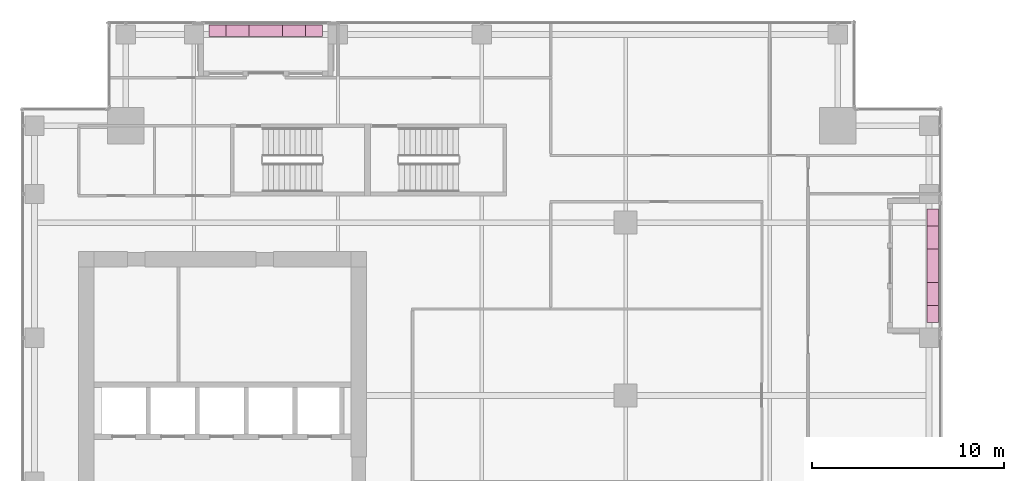
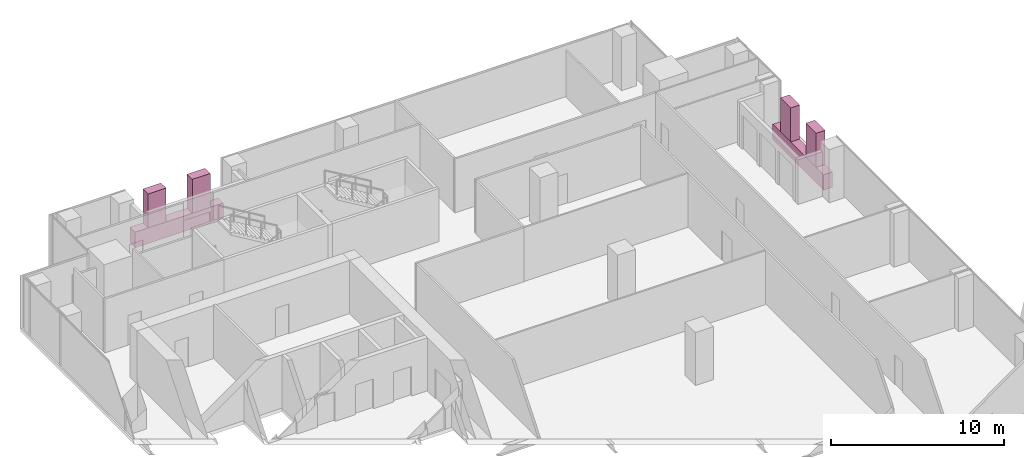
# One storey, part 38 of 38: 6 furnishings.
"""IFC4 building model written with IfcOpenShell, lengths in metres."""

from ifc_helpers import new_model, si_unit, direction, frame, origin, origin_2d, place, context, subcontext, project, spatial, rectangle, extrude, source, transform, mapped, material, type_object, element, save


model = new_model("IFC4")

# Units and contexts
model_context = context("Model", 3, precision=1e-05, world=origin(), true_north=direction((0.0, 1.0)))
body_context = subcontext(model_context, "Body", "Model", "MODEL_VIEW")
ifc_project = project(units=[si_unit("LENGTHUNIT", "METRE"), si_unit("AREAUNIT", "SQUARE_METRE"), si_unit("VOLUMEUNIT", "CUBIC_METRE"), si_unit("PLANEANGLEUNIT", "RADIAN"), si_unit("MASSUNIT", "GRAM", prefix="KILO")], contexts=[model_context])

# Site, building, storey
site_placement = place(None, origin())
site = spatial("IfcSite", under=ifc_project, at=site_placement, CompositionType="ELEMENT")
building_placement = place(site_placement, origin())
building = spatial("IfcBuilding", under=site, at=building_placement, Name="Khomas Fold Tower", CompositionType="ELEMENT")
storey_placement = place(building_placement, frame((0.0, 0.0, 196.699951171875)))
storey = spatial("IfcBuildingStorey", under=building, at=storey_placement, Name="L43", CompositionType="ELEMENT", Elevation=196.699951171875)

# Furnishings
ifc_material_1 = material(Name="Precast concrete C40/50", Category="concrete")
furnishing_element_type_1 = type_object("IfcFurnishingElementType", Name="BL-Structural planter box", material=ifc_material_1)
shared_shape_1 = source(origin(), body_context, "Body", "SweptSolid", [
    extrude(rectangle(XDim=5.89990234375, YDim=0.60009765625, at=origin_2d()), origin(), (0.0, 0.0, 1.0), 1.10009765625),
])
for number, where, z_axis, x_axis, name in (
    (1, (50.5, 38.25, -0.044921875), (0.0, 0.0, 1.0), (0.0, 1.0, 0.0), "PLANTER BAL-L43-E4"),
    (2, (15.75, 50.5, -0.044921875), (0.0, 0.0, 1.0), (1.0, 0.0, 0.0), "PLANTER BAL-L43-N1"),
):
    element("IfcFurnishingElement", number, at=place(storey_placement, frame(where, z_axis=z_axis, x_axis=x_axis)), inside=storey, type_object=furnishing_element_type_1, Name=name, context=body_context, shape_type="MappedRepresentation", body=[
        mapped(shared_shape_1, transform((0.0, 0.0, 0.0))),
    ])
ifc_material_2 = material(Name="Planting")
furnishing_element_type_2 = type_object("IfcFurnishingElementType", Name="BL-Tree Wild olive", material=ifc_material_2)
shared_shape_2 = source(origin(), body_context, "Body", "SweptSolid", [
    extrude(rectangle(XDim=1.199951171875, YDim=0.60009765625, at=origin_2d()), origin(), (0.0, 0.0, 1.0), 2.39501953125),
])
furnishing_1_placement = place(storey_placement, frame((50.5, 36.77490234375, 1.054931640625), z_axis=(0.0, 0.0, 1.0), x_axis=(0.0, 1.0, 0.0)))
element("IfcFurnishingElement", 3, at=furnishing_1_placement, inside=storey, type_object=furnishing_element_type_2, Name="PLANTER (TREE) Wild olive BAL-L43-E4-1", context=body_context, shape_type="MappedRepresentation", body=[
    mapped(shared_shape_2, transform((0.0, 0.0, 0.0))),
])
ifc_material_3 = material(Name="Planting")
furnishing_element_type_3 = type_object("IfcFurnishingElementType", Name="BL-Tree Shepherd's tree", material=ifc_material_3)
furnishing_2_placement = place(storey_placement, frame((50.5, 39.72509765625, 1.054931640625), z_axis=(0.0, 0.0, 1.0), x_axis=(0.0, 1.0, 0.0)))
element("IfcFurnishingElement", 4, at=furnishing_2_placement, inside=storey, type_object=furnishing_element_type_3, Name="PLANTER (TREE) Shepherd's tree BAL-L43-E4-2", context=body_context, shape_type="MappedRepresentation", body=[
    mapped(shared_shape_2, transform((0.0, 0.0, 0.0))),
])
furnishing_3_placement = place(storey_placement, frame((14.27490234375, 50.5, 1.054931640625), z_axis=(0.0, 0.0, 1.0), x_axis=(1.0, 0.0, 0.0)))
element("IfcFurnishingElement", 5, at=furnishing_3_placement, inside=storey, type_object=furnishing_element_type_2, Name="PLANTER (TREE) Wild olive BAL-L43-N1-1", context=body_context, shape_type="MappedRepresentation", body=[
    mapped(shared_shape_2, transform((0.0, 0.0, 0.0))),
])
furnishing_4_placement = place(storey_placement, frame((17.22509765625, 50.5, 1.054931640625), z_axis=(0.0, 0.0, 1.0), x_axis=(1.0, 0.0, 0.0)))
element("IfcFurnishingElement", 6, at=furnishing_4_placement, inside=storey, type_object=furnishing_element_type_3, Name="PLANTER (TREE) Shepherd's tree BAL-L43-N1-2", context=body_context, shape_type="MappedRepresentation", body=[
    mapped(shared_shape_2, transform((0.0, 0.0, 0.0))),
])

save(model, "model.ifc")
